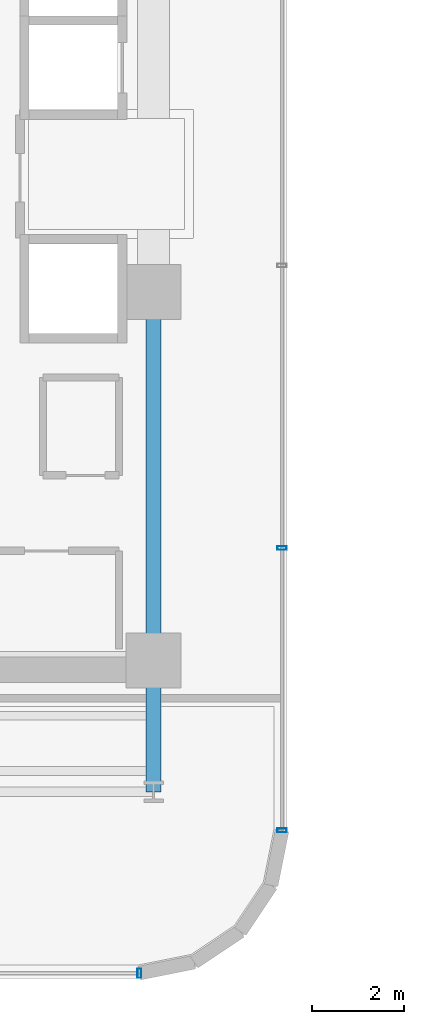
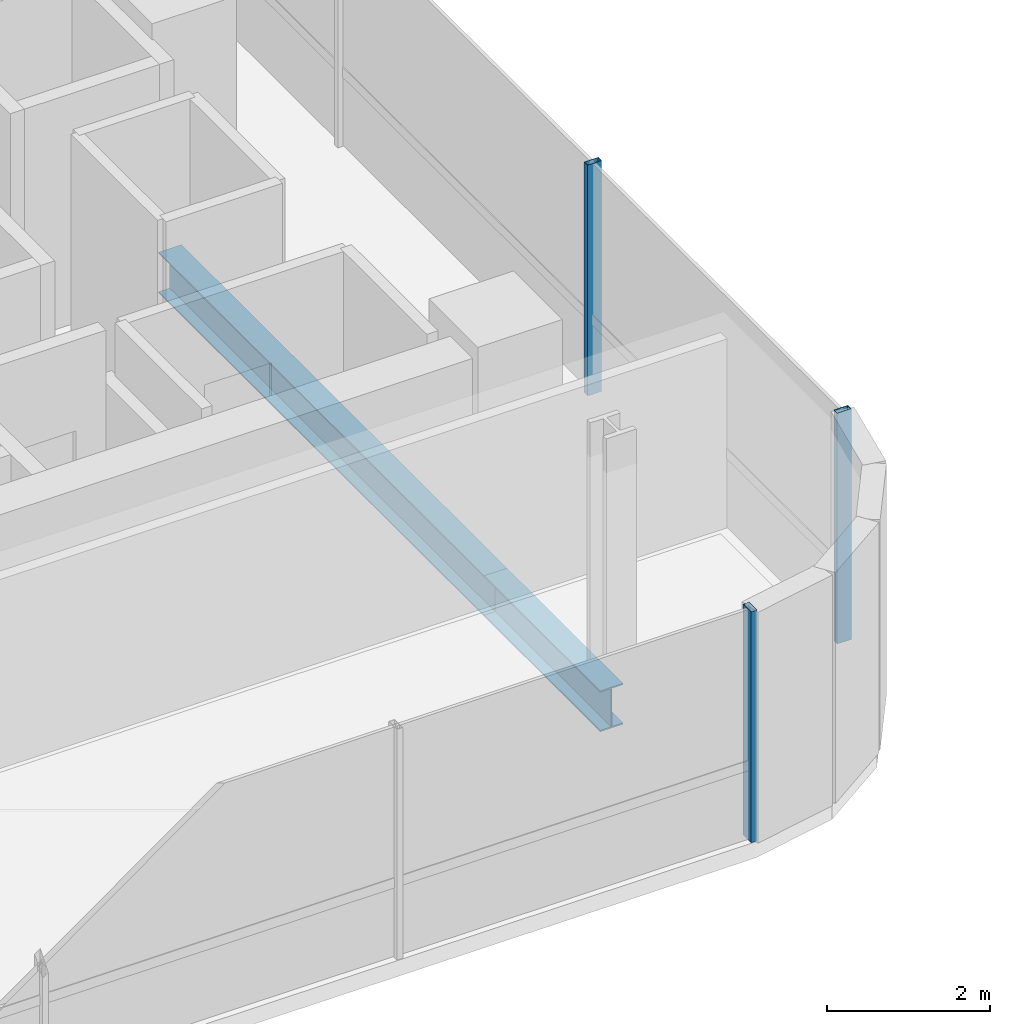
# One storey, part 5 of 34: 3 members, 2 beams, 2 elements without a shape of their own.
"""IFC4 building model written with IfcOpenShell, lengths in metres."""

from ifc_helpers import new_model, si_unit, direction, frame, origin, origin_2d, place, context, subcontext, project, spatial, hollow_rectangle, i_section, extrude, source, transform, mapped, material, material_profile, profile_set, type_object, element, aggregate, save


model = new_model("IFC4")

# Units and contexts
model_context = context("Model", 3, precision=1e-05, world=origin(), true_north=direction((0.0, 1.0)))
body_context = subcontext(model_context, "Body", "Model", "MODEL_VIEW")
ifc_project = project(units=[si_unit("LENGTHUNIT", "METRE"), si_unit("AREAUNIT", "SQUARE_METRE"), si_unit("VOLUMEUNIT", "CUBIC_METRE"), si_unit("PLANEANGLEUNIT", "RADIAN"), si_unit("MASSUNIT", "GRAM", prefix="KILO")], contexts=[model_context])

# Site, building, storey
site_placement = place(None, origin())
site = spatial("IfcSite", under=ifc_project, at=site_placement, CompositionType="ELEMENT")
building_placement = place(site_placement, origin())
building = spatial("IfcBuilding", under=site, at=building_placement, Name="Valdorenza Pilgrim Sanctuary Tower", CompositionType="ELEMENT")
storey_placement = place(building_placement, frame((0.0, 0.0, 164.89990234375)))
storey = spatial("IfcBuildingStorey", under=building, at=storey_placement, Name="L42", CompositionType="ELEMENT", Elevation=164.89990234375)

# Beams
ifc_material_1 = material(Name="Steel ASTM A992 Grade 50", Category="steel")
ifc_material_profile_1 = material_profile(ifc_material_1, i_section(OverallWidth=0.323974609375, OverallDepth=0.611083984375, WebThickness=0.0126953125, FlangeThickness=0.01904296875, at=origin_2d()), Name="W24X104")
ifc_profile_set_1 = profile_set([ifc_material_profile_1], Name="Steel ASTM A992 Grade 50")
beam_type = type_object("IfcBeamType", Name="STR-BM-GRD-W24B", PredefinedType="BEAM", material=ifc_profile_set_1)
shared_shape_1 = source(origin(), body_context, "Body", "SweptSolid", [
    extrude(i_section(OverallWidth=0.323974609375, OverallDepth=0.611083984375, WebThickness=0.0126953125, FlangeThickness=0.01904296875, at=origin_2d()), origin(), (0.0, 0.0, 1.0), 8.0),
])
beam_1_placement = place(storey_placement, frame((-12.39990234375, -10.60009765625, -0.54541015625), z_axis=(0.0, 1.0, 0.0), x_axis=(-1.0, 0.0, 0.0)))
element("IfcBeam", 1, at=beam_1_placement, inside=storey, type_object=beam_type, Name="L42 Core Tie Girder CA-E-S1M0", PredefinedType="BEAM", context=body_context, shape_type="MappedRepresentation", body=[
    mapped(shared_shape_1, transform((0.0, 0.0, 0.0), x_axis=(1.0, 0.0, 0.0), y_axis=(0.0, 1.0, 0.0), z_axis=(0.0, 0.0, 1.0), scale=1.0)),
])
shared_shape_2 = source(origin(), body_context, "Body", "SweptSolid", [
    extrude(i_section(OverallWidth=0.323974609375, OverallDepth=0.611083984375, WebThickness=0.0126953125, FlangeThickness=0.01904296875, at=origin_2d()), origin(), (0.0, 0.0, 1.0), 2.849853515625),
])
beam_2_placement = place(storey_placement, frame((-12.39990234375, -13.449951171875, -0.54541015625), z_axis=(0.0, 1.0, 0.0), x_axis=(-1.0, 0.0, 0.0)))
element("IfcBeam", 2, at=beam_2_placement, inside=storey, type_object=beam_type, Name="L42 Floor Girder WA-S-LE", PredefinedType="BEAM", context=body_context, shape_type="MappedRepresentation", body=[
    mapped(shared_shape_2, transform((0.0, 0.0, 0.0), x_axis=(1.0, 0.0, 0.0), y_axis=(0.0, 1.0, 0.0), z_axis=(0.0, 0.0, 1.0), scale=1.0)),
])

# Curtain wall, members
ifc_material_2 = material(Name="Curtain-wall IGU glazing", Category="glass")
curtain_wall_type = type_object("IfcCurtainWallType", Name="CW-SYS-02", PredefinedType="NOTDEFINED", material=ifc_material_2)
curtain_wall_1_placement = place(storey_placement, origin())
curtain_wall_1 = element("IfcCurtainWall", 3, at=curtain_wall_1_placement, inside=storey, type_object=curtain_wall_type, Name="L42 Curtain Wall CW-L42-1-21", PredefinedType="NOTDEFINED")
ifc_material_3 = material(Name="Anodised aluminium AW-6060", Category="aluminium")
ifc_material_profile_2 = material_profile(ifc_material_3, hollow_rectangle(XDim=0.0849609375, YDim=0.199951171875, WallThickness=0.0048828125, at=origin_2d()), Name="ALU-M 200x85x5")
ifc_profile_set_2 = profile_set([ifc_material_profile_2], Name="Anodised aluminium AW-6060")
member_type = type_object("IfcMemberType", Name="CW-MUL-02", PredefinedType="MULLION", material=ifc_profile_set_2)
shared_shape_3 = source(origin(), body_context, "Body", "SweptSolid", [
    extrude(hollow_rectangle(XDim=0.0849609375, YDim=0.199951171875, WallThickness=0.0048828125, at=origin_2d()), origin(), (0.0, 0.0, 1.0), 3.460205078125),
])
member_1_placement = place(storey_placement, frame((-9.610107421875, -8.156005859375, 0.0), z_axis=(0.0, 0.0, 1.0), x_axis=(0.0, -1.0, 0.0)))
member_1 = element("IfcMember", 4, at=member_1_placement, type_object=member_type, Name="CW-L42-1-21 Mullion 3", PredefinedType="MULLION", context=body_context, shape_type="MappedRepresentation", body=[
    mapped(shared_shape_3, transform((0.0, 0.0, 0.0), x_axis=(1.0, 0.0, 0.0), y_axis=(0.0, 1.0, 0.0), z_axis=(0.0, 0.0, 1.0), scale=1.0)),
])
member_2_placement = place(storey_placement, frame((-9.610107421875, -14.289306640625, 0.0), z_axis=(0.0, 0.0, 1.0), x_axis=(0.0, -1.0, 0.0)))
member_2 = element("IfcMember", 5, at=member_2_placement, type_object=member_type, Name="CW-L42-1-21 Mullion 4", PredefinedType="MULLION", context=body_context, shape_type="MappedRepresentation", body=[
    mapped(shared_shape_3, transform((0.0, 0.0, 0.0), x_axis=(1.0, 0.0, 0.0), y_axis=(0.0, 1.0, 0.0), z_axis=(0.0, 0.0, 1.0), scale=1.0)),
])
aggregate(curtain_wall_1, [member_1, member_2])

# Curtain wall, member
curtain_wall_2_placement = place(storey_placement, origin())
curtain_wall_2 = element("IfcCurtainWall", 6, at=curtain_wall_2_placement, inside=storey, type_object=curtain_wall_type, Name="L42 Curtain Wall CW-L42-1-26", PredefinedType="NOTDEFINED")
member_3_placement = place(storey_placement, frame((-12.710693359375, -17.389892578125, 0.0), z_axis=(0.0, 0.0, 1.0), x_axis=(-1.0, 0.0, 0.0)))
member_3 = element("IfcMember", 7, at=member_3_placement, type_object=member_type, Name="CW-L42-1-26 Mullion 1", PredefinedType="MULLION", context=body_context, shape_type="MappedRepresentation", body=[
    mapped(shared_shape_3, transform((0.0, 0.0, 0.0), x_axis=(1.0, 0.0, 0.0), y_axis=(0.0, 1.0, 0.0), z_axis=(0.0, 0.0, 1.0), scale=1.0)),
])
aggregate(curtain_wall_2, [member_3])

save(model, "model.ifc")
